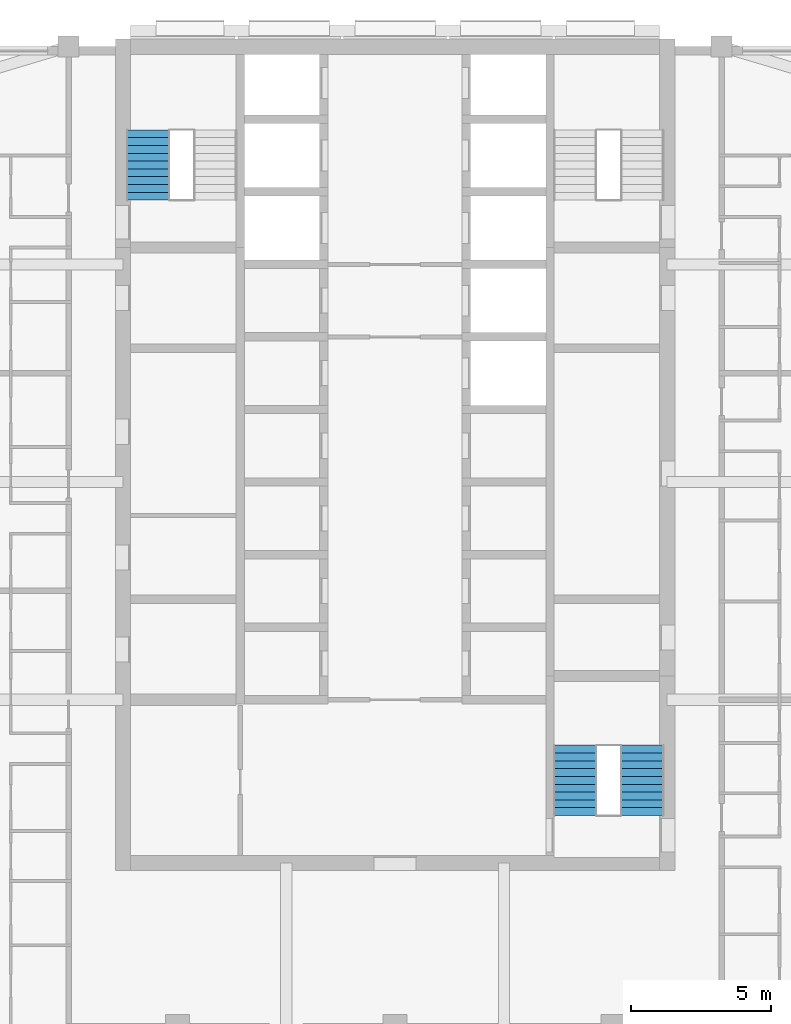
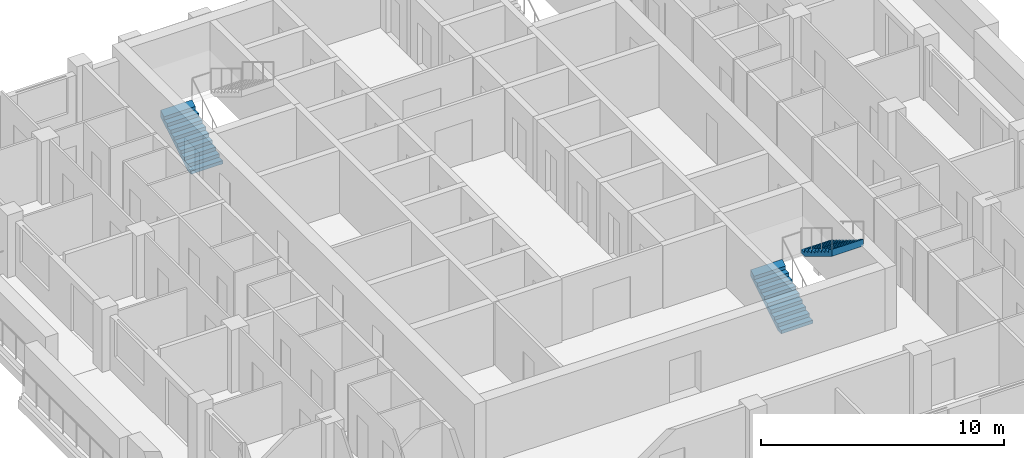
# One storey, part 10 of 13: 3 stair flights, 2 elements without a shape of their own.
"""IFC4 building model written with IfcOpenShell, lengths in metres."""

from ifc_helpers import new_model, si_unit, direction, frame, origin, place, context, subcontext, project, spatial, triangles, material, type_object, element, aggregate, save


model = new_model("IFC4")

# Units and contexts
model_context = context("Model", 3, precision=1e-05, world=origin(), true_north=direction((0.0, 1.0)))
body_context = subcontext(model_context, "Body", "Model", "MODEL_VIEW")
ifc_project = project(units=[si_unit("LENGTHUNIT", "METRE"), si_unit("AREAUNIT", "SQUARE_METRE"), si_unit("VOLUMEUNIT", "CUBIC_METRE"), si_unit("PLANEANGLEUNIT", "RADIAN"), si_unit("MASSUNIT", "GRAM", prefix="KILO")], contexts=[model_context])

# Site, building, storey
site_placement = place(None, origin())
site = spatial("IfcSite", under=ifc_project, at=site_placement, CompositionType="ELEMENT")
building_placement = place(site_placement, origin())
building = spatial("IfcBuilding", under=site, at=building_placement, Name="Ludao Terraces", CompositionType="ELEMENT")
storey_placement = place(building_placement, frame((0.0, 0.0, 179.199951171875)))
storey = spatial("IfcBuildingStorey", under=building, at=storey_placement, Name="L48", CompositionType="ELEMENT", Elevation=179.199951171875)

# Stair, stair flight
ifc_material = material(Name="Concrete C40", Category="concrete")
stair_type = type_object("IfcStairType", Name="INT Stair", PredefinedType="HALF_TURN_STAIR", material=ifc_material)
stair_1_placement = place(storey_placement, origin())
stair_1 = element("IfcStair", 1, at=stair_1_placement, inside=storey, type_object=stair_type, Name="EXIT STAIR 1", PredefinedType="HALF_TURN_STAIR")
stair_flight_type = type_object("IfcStairFlightType", Name="INT Stair flight", PredefinedType="STRAIGHT", material=ifc_material)
stair_flight_1_placement = place(storey_placement, frame((76.14990234375, 79.0, 0.0), z_axis=(0.0, 0.0, 1.0), x_axis=(0.0, 1.0, 0.0)))
stair_flight_1 = element("IfcStairFlight", 2, at=stair_flight_1_placement, type_object=stair_flight_type, Name="ST1 flight 1", NumberOfRisers=10, NumberOfTreads=9, PredefinedType="STRAIGHT", RiserHeight=0.17, TreadLength=0.28, context=body_context, shape_type="Tessellation", body=[
    triangles([(0.0, -0.75, 0.0), (0.0, -0.5, 0.0), (0.0, -0.25, 0.0), (0.0, 0.0, 0.0), (0.0, 0.25, 0.0), (0.0, 0.5, 0.0), (0.0, 0.75, 0.0), (0.0, -0.75, 0.169921875), (0.0, -0.5, 0.169921875), (0.0, -0.25, 0.169921875), (0.0, 0.0, 0.169921875), (0.0, 0.25, 0.169921875), (0.0, 0.5, 0.169921875), (0.0, 0.75, 0.169921875), (0.280029296875, -0.75, 0.169921875), (0.280029296875, -0.5, 0.169921875), (0.280029296875, -0.25, 0.169921875), (0.280029296875, 0.0, 0.169921875), (0.280029296875, 0.25, 0.169921875), (0.280029296875, 0.5, 0.169921875), (0.280029296875, 0.75, 0.169921875), (0.280029296875, -0.75, 0.340087890625), (0.280029296875, -0.5, 0.340087890625), (0.280029296875, -0.25, 0.340087890625), (0.280029296875, 0.0, 0.340087890625), (0.280029296875, 0.25, 0.340087890625), (0.280029296875, 0.5, 0.340087890625), (0.280029296875, 0.75, 0.340087890625), (0.56005859375, -0.75, 0.340087890625), (0.56005859375, -0.5, 0.340087890625), (0.56005859375, -0.25, 0.340087890625), (0.56005859375, 0.0, 0.340087890625), (0.56005859375, 0.25, 0.340087890625), (0.56005859375, 0.5, 0.340087890625), (0.56005859375, 0.75, 0.340087890625), (0.56005859375, -0.75, 0.510009765625), (0.56005859375, -0.5, 0.510009765625), (0.56005859375, -0.25, 0.510009765625), (0.56005859375, 0.0, 0.510009765625), (0.56005859375, 0.25, 0.510009765625), (0.56005859375, 0.5, 0.510009765625), (0.56005859375, 0.75, 0.510009765625), (0.840087890625, -0.75, 0.510009765625), (0.840087890625, -0.5, 0.510009765625), (0.840087890625, -0.25, 0.510009765625), (0.840087890625, 0.0, 0.510009765625), (0.840087890625, 0.25, 0.510009765625), (0.840087890625, 0.5, 0.510009765625), (0.840087890625, 0.75, 0.510009765625), (0.840087890625, -0.75, 0.679931640625), (0.840087890625, -0.5, 0.679931640625), (0.840087890625, -0.25, 0.679931640625), (0.840087890625, 0.0, 0.679931640625), (0.840087890625, 0.25, 0.679931640625), (0.840087890625, 0.5, 0.679931640625), (0.840087890625, 0.75, 0.679931640625), (1.1201171875, -0.75, 0.679931640625), (1.1201171875, -0.5, 0.679931640625), (1.1201171875, -0.25, 0.679931640625), (1.1201171875, 0.0, 0.679931640625), (1.1201171875, 0.25, 0.679931640625), (1.1201171875, 0.5, 0.679931640625), (1.1201171875, 0.75, 0.679931640625), (1.1201171875, -0.75, 0.85009765625), (1.1201171875, -0.5, 0.85009765625), (1.1201171875, -0.25, 0.85009765625), (1.1201171875, 0.0, 0.85009765625), (1.1201171875, 0.25, 0.85009765625), (1.1201171875, 0.5, 0.85009765625), (1.1201171875, 0.75, 0.85009765625), (1.39990234375, -0.75, 0.85009765625), (1.39990234375, -0.5, 0.85009765625), (1.39990234375, -0.25, 0.85009765625), (1.39990234375, 0.0, 0.85009765625), (1.39990234375, 0.25, 0.85009765625), (1.39990234375, 0.5, 0.85009765625), (1.39990234375, 0.75, 0.85009765625), (1.39990234375, -0.75, 1.02001953125), (1.39990234375, -0.5, 1.02001953125), (1.39990234375, -0.25, 1.02001953125), (1.39990234375, 0.0, 1.02001953125), (1.39990234375, 0.25, 1.02001953125), (1.39990234375, 0.5, 1.02001953125), (1.39990234375, 0.75, 1.02001953125), (1.679931640625, -0.75, 1.02001953125), (1.679931640625, -0.5, 1.02001953125), (1.679931640625, -0.25, 1.02001953125), (1.679931640625, 0.0, 1.02001953125), (1.679931640625, 0.25, 1.02001953125), (1.679931640625, 0.5, 1.02001953125), (1.679931640625, 0.75, 1.02001953125), (1.679931640625, -0.75, 1.18994140625), (1.679931640625, -0.5, 1.18994140625), (1.679931640625, -0.25, 1.18994140625), (1.679931640625, 0.0, 1.18994140625), (1.679931640625, 0.25, 1.18994140625), (1.679931640625, 0.5, 1.18994140625), (1.679931640625, 0.75, 1.18994140625), (1.9599609375, -0.75, 1.18994140625), (1.9599609375, -0.5, 1.18994140625), (1.9599609375, -0.25, 1.18994140625), (1.9599609375, 0.0, 1.18994140625), (1.9599609375, 0.25, 1.18994140625), (1.9599609375, 0.5, 1.18994140625), (1.9599609375, 0.75, 1.18994140625), (1.9599609375, -0.75, 1.360107421875), (1.9599609375, -0.5, 1.360107421875), (1.9599609375, -0.25, 1.360107421875), (1.9599609375, 0.0, 1.360107421875), (1.9599609375, 0.25, 1.360107421875), (1.9599609375, 0.5, 1.360107421875), (1.9599609375, 0.75, 1.360107421875), (2.239990234375, -0.75, 1.360107421875), (2.239990234375, -0.5, 1.360107421875), (2.239990234375, -0.25, 1.360107421875), (2.239990234375, 0.0, 1.360107421875), (2.239990234375, 0.25, 1.360107421875), (2.239990234375, 0.5, 1.360107421875), (2.239990234375, 0.75, 1.360107421875), (2.239990234375, -0.75, 1.530029296875), (2.239990234375, -0.5, 1.530029296875), (2.239990234375, -0.25, 1.530029296875), (2.239990234375, 0.0, 1.530029296875), (2.239990234375, 0.25, 1.530029296875), (2.239990234375, 0.5, 1.530029296875), (2.239990234375, 0.75, 1.530029296875), (2.52001953125, -0.75, 1.699951171875), (2.52001953125, -0.5, 1.699951171875), (2.52001953125, -0.25, 1.699951171875), (2.52001953125, 0.0, 1.699951171875), (2.52001953125, 0.25, 1.699951171875), (2.52001953125, 0.5, 1.699951171875), (2.52001953125, 0.75, 1.699951171875), (2.52001953125, -0.75, 1.354736328125), (2.52001953125, -0.5, 1.354736328125), (2.52001953125, -0.25, 1.354736328125), (2.52001953125, 0.0, 1.354736328125), (2.52001953125, 0.25, 1.354736328125), (2.52001953125, 0.5, 1.354736328125), (2.52001953125, 0.75, 1.354736328125), (0.288818359375, -0.75, 0.0), (0.288818359375, -0.5, 0.0), (0.288818359375, -0.25, 0.0), (0.288818359375, 0.0, 0.0), (0.288818359375, 0.25, 0.0), (0.288818359375, 0.5, 0.0), (0.288818359375, 0.75, 0.0)], [[1, 141, 134], [7, 140, 147], [134, 127, 120], [140, 126, 133], [134, 120, 113], [140, 119, 126], [134, 113, 106], [140, 112, 119], [134, 106, 99], [140, 105, 112], [99, 92, 85], [105, 91, 98], [134, 99, 85], [140, 91, 105], [85, 78, 71], [91, 77, 84], [134, 85, 71], [140, 77, 91], [71, 64, 57], [77, 63, 70], [134, 71, 57], [140, 63, 77], [57, 50, 43], [63, 49, 56], [134, 57, 43], [140, 49, 63], [43, 36, 29], [49, 35, 42], [134, 43, 29], [140, 35, 49], [29, 22, 15], [35, 21, 28], [134, 29, 15], [140, 21, 35], [1, 134, 15], [7, 21, 140], [15, 8, 1], [21, 7, 14], [1, 9, 2], [1, 8, 9], [2, 10, 3], [2, 9, 10], [3, 11, 4], [3, 10, 11], [4, 12, 5], [4, 11, 12], [5, 13, 6], [5, 12, 13], [6, 14, 7], [6, 13, 14], [8, 16, 9], [8, 15, 16], [9, 17, 10], [9, 16, 17], [10, 18, 11], [10, 17, 18], [11, 19, 12], [11, 18, 19], [12, 20, 13], [12, 19, 20], [13, 21, 14], [13, 20, 21], [15, 23, 16], [15, 22, 23], [16, 24, 17], [16, 23, 24], [17, 25, 18], [17, 24, 25], [18, 26, 19], [18, 25, 26], [19, 27, 20], [19, 26, 27], [20, 28, 21], [20, 27, 28], [22, 30, 23], [22, 29, 30], [23, 31, 24], [23, 30, 31], [24, 32, 25], [24, 31, 32], [25, 33, 26], [25, 32, 33], [26, 34, 27], [26, 33, 34], [27, 35, 28], [27, 34, 35], [29, 37, 30], [29, 36, 37], [30, 38, 31], [30, 37, 38], [31, 39, 32], [31, 38, 39], [32, 40, 33], [32, 39, 40], [33, 41, 34], [33, 40, 41], [34, 42, 35], [34, 41, 42], [36, 44, 37], [36, 43, 44], [37, 45, 38], [37, 44, 45], [38, 46, 39], [38, 45, 46], [39, 47, 40], [39, 46, 47], [40, 48, 41], [40, 47, 48], [41, 49, 42], [41, 48, 49], [43, 51, 44], [43, 50, 51], [44, 52, 45], [44, 51, 52], [45, 53, 46], [45, 52, 53], [46, 54, 47], [46, 53, 54], [47, 55, 48], [47, 54, 55], [48, 56, 49], [48, 55, 56], [50, 58, 51], [50, 57, 58], [51, 59, 52], [51, 58, 59], [52, 60, 53], [52, 59, 60], [53, 61, 54], [53, 60, 61], [54, 62, 55], [54, 61, 62], [55, 63, 56], [55, 62, 63], [57, 65, 58], [57, 64, 65], [58, 66, 59], [58, 65, 66], [59, 67, 60], [59, 66, 67], [60, 68, 61], [60, 67, 68], [61, 69, 62], [61, 68, 69], [62, 70, 63], [62, 69, 70], [64, 72, 65], [64, 71, 72], [65, 73, 66], [65, 72, 73], [66, 74, 67], [66, 73, 74], [67, 75, 68], [67, 74, 75], [68, 76, 69], [68, 75, 76], [69, 77, 70], [69, 76, 77], [71, 79, 72], [71, 78, 79], [72, 80, 73], [72, 79, 80], [73, 81, 74], [73, 80, 81], [74, 82, 75], [74, 81, 82], [75, 83, 76], [75, 82, 83], [76, 84, 77], [76, 83, 84], [78, 86, 79], [78, 85, 86], [79, 87, 80], [79, 86, 87], [80, 88, 81], [80, 87, 88], [81, 89, 82], [81, 88, 89], [82, 90, 83], [82, 89, 90], [83, 91, 84], [83, 90, 91], [85, 93, 86], [85, 92, 93], [86, 94, 87], [86, 93, 94], [87, 95, 88], [87, 94, 95], [88, 96, 89], [88, 95, 96], [89, 97, 90], [89, 96, 97], [90, 98, 91], [90, 97, 98], [92, 100, 93], [92, 99, 100], [93, 101, 94], [93, 100, 101], [94, 102, 95], [94, 101, 102], [95, 103, 96], [95, 102, 103], [96, 104, 97], [96, 103, 104], [97, 105, 98], [97, 104, 105], [99, 107, 100], [99, 106, 107], [100, 108, 101], [100, 107, 108], [101, 109, 102], [101, 108, 109], [102, 110, 103], [102, 109, 110], [103, 111, 104], [103, 110, 111], [104, 112, 105], [104, 111, 112], [106, 114, 107], [106, 113, 114], [107, 115, 108], [107, 114, 115], [108, 116, 109], [108, 115, 116], [109, 117, 110], [109, 116, 117], [110, 118, 111], [110, 117, 118], [111, 119, 112], [111, 118, 119], [113, 121, 114], [113, 120, 121], [114, 122, 115], [114, 121, 122], [115, 123, 116], [115, 122, 123], [116, 124, 117], [116, 123, 124], [117, 125, 118], [117, 124, 125], [118, 126, 119], [118, 125, 126], [120, 128, 121], [120, 127, 128], [121, 129, 122], [121, 128, 129], [122, 130, 123], [122, 129, 130], [123, 131, 124], [123, 130, 131], [124, 132, 125], [124, 131, 132], [125, 133, 126], [125, 132, 133], [127, 135, 128], [127, 134, 135], [128, 136, 129], [128, 135, 136], [129, 137, 130], [129, 136, 137], [130, 138, 131], [130, 137, 138], [131, 139, 132], [131, 138, 139], [132, 140, 133], [132, 139, 140], [134, 142, 135], [134, 141, 142], [135, 143, 136], [135, 142, 143], [136, 144, 137], [136, 143, 144], [137, 145, 138], [137, 144, 145], [138, 146, 139], [138, 145, 146], [139, 147, 140], [139, 146, 147], [141, 2, 142], [141, 1, 2], [142, 3, 143], [142, 2, 3], [143, 4, 144], [143, 3, 4], [144, 5, 145], [144, 4, 5], [145, 6, 146], [145, 5, 6], [146, 7, 147], [146, 6, 7]], closed=True),
])
aggregate(stair_1, [stair_flight_1])

# Stair, stair flights
stair_2_placement = place(storey_placement, origin())
stair_2 = element("IfcStair", 3, at=stair_2_placement, inside=storey, type_object=stair_type, Name="EXIT STAIR 3", PredefinedType="HALF_TURN_STAIR")
stair_flight_2_placement = place(storey_placement, frame((91.449951171875, 56.949951171875, 0.0), z_axis=(0.0, 0.0, 1.0), x_axis=(0.0, 1.0, 0.0)))
stair_flight_2 = element("IfcStairFlight", 4, at=stair_flight_2_placement, type_object=stair_flight_type, Name="ST3 flight 1", NumberOfRisers=10, NumberOfTreads=9, PredefinedType="STRAIGHT", RiserHeight=0.17, TreadLength=0.28, context=body_context, shape_type="Tessellation", body=[
    triangles([(0.0, -0.75, 0.0), (0.0, -0.5, 0.0), (0.0, -0.25, 0.0), (0.0, 0.0, 0.0), (0.0, 0.25, 0.0), (0.0, 0.5, 0.0), (0.0, 0.75, 0.0), (0.0, -0.75, 0.169921875), (0.0, -0.5, 0.169921875), (0.0, -0.25, 0.169921875), (0.0, 0.0, 0.169921875), (0.0, 0.25, 0.169921875), (0.0, 0.5, 0.169921875), (0.0, 0.75, 0.169921875), (0.280029296875, -0.75, 0.169921875), (0.280029296875, -0.5, 0.169921875), (0.280029296875, -0.25, 0.169921875), (0.280029296875, 0.0, 0.169921875), (0.280029296875, 0.25, 0.169921875), (0.280029296875, 0.5, 0.169921875), (0.280029296875, 0.75, 0.169921875), (0.280029296875, -0.75, 0.340087890625), (0.280029296875, -0.5, 0.340087890625), (0.280029296875, -0.25, 0.340087890625), (0.280029296875, 0.0, 0.340087890625), (0.280029296875, 0.25, 0.340087890625), (0.280029296875, 0.5, 0.340087890625), (0.280029296875, 0.75, 0.340087890625), (0.56005859375, -0.75, 0.340087890625), (0.56005859375, -0.5, 0.340087890625), (0.56005859375, -0.25, 0.340087890625), (0.56005859375, 0.0, 0.340087890625), (0.56005859375, 0.25, 0.340087890625), (0.56005859375, 0.5, 0.340087890625), (0.56005859375, 0.75, 0.340087890625), (0.56005859375, -0.75, 0.510009765625), (0.56005859375, -0.5, 0.510009765625), (0.56005859375, -0.25, 0.510009765625), (0.56005859375, 0.0, 0.510009765625), (0.56005859375, 0.25, 0.510009765625), (0.56005859375, 0.5, 0.510009765625), (0.56005859375, 0.75, 0.510009765625), (0.840087890625, -0.75, 0.510009765625), (0.840087890625, -0.5, 0.510009765625), (0.840087890625, -0.25, 0.510009765625), (0.840087890625, 0.0, 0.510009765625), (0.840087890625, 0.25, 0.510009765625), (0.840087890625, 0.5, 0.510009765625), (0.840087890625, 0.75, 0.510009765625), (0.840087890625, -0.75, 0.679931640625), (0.840087890625, -0.5, 0.679931640625), (0.840087890625, -0.25, 0.679931640625), (0.840087890625, 0.0, 0.679931640625), (0.840087890625, 0.25, 0.679931640625), (0.840087890625, 0.5, 0.679931640625), (0.840087890625, 0.75, 0.679931640625), (1.1201171875, -0.75, 0.679931640625), (1.1201171875, -0.5, 0.679931640625), (1.1201171875, -0.25, 0.679931640625), (1.1201171875, 0.0, 0.679931640625), (1.1201171875, 0.25, 0.679931640625), (1.1201171875, 0.5, 0.679931640625), (1.1201171875, 0.75, 0.679931640625), (1.1201171875, -0.75, 0.85009765625), (1.1201171875, -0.5, 0.85009765625), (1.1201171875, -0.25, 0.85009765625), (1.1201171875, 0.0, 0.85009765625), (1.1201171875, 0.25, 0.85009765625), (1.1201171875, 0.5, 0.85009765625), (1.1201171875, 0.75, 0.85009765625), (1.39990234375, -0.75, 0.85009765625), (1.39990234375, -0.5, 0.85009765625), (1.39990234375, -0.25, 0.85009765625), (1.39990234375, 0.0, 0.85009765625), (1.39990234375, 0.25, 0.85009765625), (1.39990234375, 0.5, 0.85009765625), (1.39990234375, 0.75, 0.85009765625), (1.39990234375, -0.75, 1.02001953125), (1.39990234375, -0.5, 1.02001953125), (1.39990234375, -0.25, 1.02001953125), (1.39990234375, 0.0, 1.02001953125), (1.39990234375, 0.25, 1.02001953125), (1.39990234375, 0.5, 1.02001953125), (1.39990234375, 0.75, 1.02001953125), (1.679931640625, -0.75, 1.02001953125), (1.679931640625, -0.5, 1.02001953125), (1.679931640625, -0.25, 1.02001953125), (1.679931640625, 0.0, 1.02001953125), (1.679931640625, 0.25, 1.02001953125), (1.679931640625, 0.5, 1.02001953125), (1.679931640625, 0.75, 1.02001953125), (1.679931640625, -0.75, 1.18994140625), (1.679931640625, -0.5, 1.18994140625), (1.679931640625, -0.25, 1.18994140625), (1.679931640625, 0.0, 1.18994140625), (1.679931640625, 0.25, 1.18994140625), (1.679931640625, 0.5, 1.18994140625), (1.679931640625, 0.75, 1.18994140625), (1.9599609375, -0.75, 1.18994140625), (1.9599609375, -0.5, 1.18994140625), (1.9599609375, -0.25, 1.18994140625), (1.9599609375, 0.0, 1.18994140625), (1.9599609375, 0.25, 1.18994140625), (1.9599609375, 0.5, 1.18994140625), (1.9599609375, 0.75, 1.18994140625), (1.9599609375, -0.75, 1.360107421875), (1.9599609375, -0.5, 1.360107421875), (1.9599609375, -0.25, 1.360107421875), (1.9599609375, 0.0, 1.360107421875), (1.9599609375, 0.25, 1.360107421875), (1.9599609375, 0.5, 1.360107421875), (1.9599609375, 0.75, 1.360107421875), (2.239990234375, -0.75, 1.360107421875), (2.239990234375, -0.5, 1.360107421875), (2.239990234375, -0.25, 1.360107421875), (2.239990234375, 0.0, 1.360107421875), (2.239990234375, 0.25, 1.360107421875), (2.239990234375, 0.5, 1.360107421875), (2.239990234375, 0.75, 1.360107421875), (2.239990234375, -0.75, 1.530029296875), (2.239990234375, -0.5, 1.530029296875), (2.239990234375, -0.25, 1.530029296875), (2.239990234375, 0.0, 1.530029296875), (2.239990234375, 0.25, 1.530029296875), (2.239990234375, 0.5, 1.530029296875), (2.239990234375, 0.75, 1.530029296875), (2.52001953125, -0.75, 1.699951171875), (2.52001953125, -0.5, 1.699951171875), (2.52001953125, -0.25, 1.699951171875), (2.52001953125, 0.0, 1.699951171875), (2.52001953125, 0.25, 1.699951171875), (2.52001953125, 0.5, 1.699951171875), (2.52001953125, 0.75, 1.699951171875), (2.52001953125, -0.75, 1.354736328125), (2.52001953125, -0.5, 1.354736328125), (2.52001953125, -0.25, 1.354736328125), (2.52001953125, 0.0, 1.354736328125), (2.52001953125, 0.25, 1.354736328125), (2.52001953125, 0.5, 1.354736328125), (2.52001953125, 0.75, 1.354736328125), (0.288818359375, -0.75, 0.0), (0.288818359375, -0.5, 0.0), (0.288818359375, -0.25, 0.0), (0.288818359375, 0.0, 0.0), (0.288818359375, 0.25, 0.0), (0.288818359375, 0.5, 0.0), (0.288818359375, 0.75, 0.0)], [[1, 141, 134], [7, 140, 147], [134, 127, 120], [140, 126, 133], [134, 120, 113], [140, 119, 126], [134, 113, 106], [140, 112, 119], [134, 106, 99], [140, 105, 112], [99, 92, 85], [105, 91, 98], [134, 99, 85], [140, 91, 105], [85, 78, 71], [91, 77, 84], [134, 85, 71], [140, 77, 91], [71, 64, 57], [77, 63, 70], [134, 71, 57], [140, 63, 77], [57, 50, 43], [63, 49, 56], [134, 57, 43], [140, 49, 63], [43, 36, 29], [49, 35, 42], [134, 43, 29], [140, 35, 49], [29, 22, 15], [35, 21, 28], [134, 29, 15], [140, 21, 35], [1, 134, 15], [7, 21, 140], [15, 8, 1], [21, 7, 14], [1, 9, 2], [1, 8, 9], [2, 10, 3], [2, 9, 10], [3, 11, 4], [3, 10, 11], [4, 12, 5], [4, 11, 12], [5, 13, 6], [5, 12, 13], [6, 14, 7], [6, 13, 14], [8, 16, 9], [8, 15, 16], [9, 17, 10], [9, 16, 17], [10, 18, 11], [10, 17, 18], [11, 19, 12], [11, 18, 19], [12, 20, 13], [12, 19, 20], [13, 21, 14], [13, 20, 21], [15, 23, 16], [15, 22, 23], [16, 24, 17], [16, 23, 24], [17, 25, 18], [17, 24, 25], [18, 26, 19], [18, 25, 26], [19, 27, 20], [19, 26, 27], [20, 28, 21], [20, 27, 28], [22, 30, 23], [22, 29, 30], [23, 31, 24], [23, 30, 31], [24, 32, 25], [24, 31, 32], [25, 33, 26], [25, 32, 33], [26, 34, 27], [26, 33, 34], [27, 35, 28], [27, 34, 35], [29, 37, 30], [29, 36, 37], [30, 38, 31], [30, 37, 38], [31, 39, 32], [31, 38, 39], [32, 40, 33], [32, 39, 40], [33, 41, 34], [33, 40, 41], [34, 42, 35], [34, 41, 42], [36, 44, 37], [36, 43, 44], [37, 45, 38], [37, 44, 45], [38, 46, 39], [38, 45, 46], [39, 47, 40], [39, 46, 47], [40, 48, 41], [40, 47, 48], [41, 49, 42], [41, 48, 49], [43, 51, 44], [43, 50, 51], [44, 52, 45], [44, 51, 52], [45, 53, 46], [45, 52, 53], [46, 54, 47], [46, 53, 54], [47, 55, 48], [47, 54, 55], [48, 56, 49], [48, 55, 56], [50, 58, 51], [50, 57, 58], [51, 59, 52], [51, 58, 59], [52, 60, 53], [52, 59, 60], [53, 61, 54], [53, 60, 61], [54, 62, 55], [54, 61, 62], [55, 63, 56], [55, 62, 63], [57, 65, 58], [57, 64, 65], [58, 66, 59], [58, 65, 66], [59, 67, 60], [59, 66, 67], [60, 68, 61], [60, 67, 68], [61, 69, 62], [61, 68, 69], [62, 70, 63], [62, 69, 70], [64, 72, 65], [64, 71, 72], [65, 73, 66], [65, 72, 73], [66, 74, 67], [66, 73, 74], [67, 75, 68], [67, 74, 75], [68, 76, 69], [68, 75, 76], [69, 77, 70], [69, 76, 77], [71, 79, 72], [71, 78, 79], [72, 80, 73], [72, 79, 80], [73, 81, 74], [73, 80, 81], [74, 82, 75], [74, 81, 82], [75, 83, 76], [75, 82, 83], [76, 84, 77], [76, 83, 84], [78, 86, 79], [78, 85, 86], [79, 87, 80], [79, 86, 87], [80, 88, 81], [80, 87, 88], [81, 89, 82], [81, 88, 89], [82, 90, 83], [82, 89, 90], [83, 91, 84], [83, 90, 91], [85, 93, 86], [85, 92, 93], [86, 94, 87], [86, 93, 94], [87, 95, 88], [87, 94, 95], [88, 96, 89], [88, 95, 96], [89, 97, 90], [89, 96, 97], [90, 98, 91], [90, 97, 98], [92, 100, 93], [92, 99, 100], [93, 101, 94], [93, 100, 101], [94, 102, 95], [94, 101, 102], [95, 103, 96], [95, 102, 103], [96, 104, 97], [96, 103, 104], [97, 105, 98], [97, 104, 105], [99, 107, 100], [99, 106, 107], [100, 108, 101], [100, 107, 108], [101, 109, 102], [101, 108, 109], [102, 110, 103], [102, 109, 110], [103, 111, 104], [103, 110, 111], [104, 112, 105], [104, 111, 112], [106, 114, 107], [106, 113, 114], [107, 115, 108], [107, 114, 115], [108, 116, 109], [108, 115, 116], [109, 117, 110], [109, 116, 117], [110, 118, 111], [110, 117, 118], [111, 119, 112], [111, 118, 119], [113, 121, 114], [113, 120, 121], [114, 122, 115], [114, 121, 122], [115, 123, 116], [115, 122, 123], [116, 124, 117], [116, 123, 124], [117, 125, 118], [117, 124, 125], [118, 126, 119], [118, 125, 126], [120, 128, 121], [120, 127, 128], [121, 129, 122], [121, 128, 129], [122, 130, 123], [122, 129, 130], [123, 131, 124], [123, 130, 131], [124, 132, 125], [124, 131, 132], [125, 133, 126], [125, 132, 133], [127, 135, 128], [127, 134, 135], [128, 136, 129], [128, 135, 136], [129, 137, 130], [129, 136, 137], [130, 138, 131], [130, 137, 138], [131, 139, 132], [131, 138, 139], [132, 140, 133], [132, 139, 140], [134, 142, 135], [134, 141, 142], [135, 143, 136], [135, 142, 143], [136, 144, 137], [136, 143, 144], [137, 145, 138], [137, 144, 145], [138, 146, 139], [138, 145, 146], [139, 147, 140], [139, 146, 147], [141, 2, 142], [141, 1, 2], [142, 3, 143], [142, 2, 3], [143, 4, 144], [143, 3, 4], [144, 5, 145], [144, 4, 5], [145, 6, 146], [145, 5, 6], [146, 7, 147], [146, 6, 7]], closed=True),
])
stair_flight_3_placement = place(storey_placement, frame((93.85009765625, 59.469970703125, 1.699951171875), z_axis=(0.0, 0.0, 1.0), x_axis=(0.0, -1.0, 0.0)))
stair_flight_3 = element("IfcStairFlight", 5, at=stair_flight_3_placement, type_object=stair_flight_type, Name="ST3 flight 2", NumberOfRisers=10, NumberOfTreads=9, PredefinedType="STRAIGHT", RiserHeight=0.17, TreadLength=0.28, context=body_context, shape_type="Tessellation", body=[
    triangles([(0.0, -0.75, 0.0), (0.0, -0.5, 0.0), (0.0, -0.25, 0.0), (0.0, 0.0, 0.0), (0.0, 0.25, 0.0), (0.0, 0.5, 0.0), (0.0, 0.75, 0.0), (0.0, -0.75, 0.169921875), (0.0, -0.5, 0.169921875), (0.0, -0.25, 0.169921875), (0.0, 0.0, 0.169921875), (0.0, 0.25, 0.169921875), (0.0, 0.5, 0.169921875), (0.0, 0.75, 0.169921875), (0.280029296875, -0.75, 0.169921875), (0.280029296875, -0.5, 0.169921875), (0.280029296875, -0.25, 0.169921875), (0.280029296875, 0.0, 0.169921875), (0.280029296875, 0.25, 0.169921875), (0.280029296875, 0.5, 0.169921875), (0.280029296875, 0.75, 0.169921875), (0.280029296875, -0.75, 0.340087890625), (0.280029296875, -0.5, 0.340087890625), (0.280029296875, -0.25, 0.340087890625), (0.280029296875, 0.0, 0.340087890625), (0.280029296875, 0.25, 0.340087890625), (0.280029296875, 0.5, 0.340087890625), (0.280029296875, 0.75, 0.340087890625), (0.56005859375, -0.75, 0.340087890625), (0.56005859375, -0.5, 0.340087890625), (0.56005859375, -0.25, 0.340087890625), (0.56005859375, 0.0, 0.340087890625), (0.56005859375, 0.25, 0.340087890625), (0.56005859375, 0.5, 0.340087890625), (0.56005859375, 0.75, 0.340087890625), (0.56005859375, -0.75, 0.510009765625), (0.56005859375, -0.5, 0.510009765625), (0.56005859375, -0.25, 0.510009765625), (0.56005859375, 0.0, 0.510009765625), (0.56005859375, 0.25, 0.510009765625), (0.56005859375, 0.5, 0.510009765625), (0.56005859375, 0.75, 0.510009765625), (0.840087890625, -0.75, 0.510009765625), (0.840087890625, -0.5, 0.510009765625), (0.840087890625, -0.25, 0.510009765625), (0.840087890625, 0.0, 0.510009765625), (0.840087890625, 0.25, 0.510009765625), (0.840087890625, 0.5, 0.510009765625), (0.840087890625, 0.75, 0.510009765625), (0.840087890625, -0.75, 0.679931640625), (0.840087890625, -0.5, 0.679931640625), (0.840087890625, -0.25, 0.679931640625), (0.840087890625, 0.0, 0.679931640625), (0.840087890625, 0.25, 0.679931640625), (0.840087890625, 0.5, 0.679931640625), (0.840087890625, 0.75, 0.679931640625), (1.1201171875, -0.75, 0.679931640625), (1.1201171875, -0.5, 0.679931640625), (1.1201171875, -0.25, 0.679931640625), (1.1201171875, 0.0, 0.679931640625), (1.1201171875, 0.25, 0.679931640625), (1.1201171875, 0.5, 0.679931640625), (1.1201171875, 0.75, 0.679931640625), (1.1201171875, -0.75, 0.85009765625), (1.1201171875, -0.5, 0.85009765625), (1.1201171875, -0.25, 0.85009765625), (1.1201171875, 0.0, 0.85009765625), (1.1201171875, 0.25, 0.85009765625), (1.1201171875, 0.5, 0.85009765625), (1.1201171875, 0.75, 0.85009765625), (1.39990234375, -0.75, 0.85009765625), (1.39990234375, -0.5, 0.85009765625), (1.39990234375, -0.25, 0.85009765625), (1.39990234375, 0.0, 0.85009765625), (1.39990234375, 0.25, 0.85009765625), (1.39990234375, 0.5, 0.85009765625), (1.39990234375, 0.75, 0.85009765625), (1.39990234375, -0.75, 1.02001953125), (1.39990234375, -0.5, 1.02001953125), (1.39990234375, -0.25, 1.02001953125), (1.39990234375, 0.0, 1.02001953125), (1.39990234375, 0.25, 1.02001953125), (1.39990234375, 0.5, 1.02001953125), (1.39990234375, 0.75, 1.02001953125), (1.679931640625, -0.75, 1.02001953125), (1.679931640625, -0.5, 1.02001953125), (1.679931640625, -0.25, 1.02001953125), (1.679931640625, 0.0, 1.02001953125), (1.679931640625, 0.25, 1.02001953125), (1.679931640625, 0.5, 1.02001953125), (1.679931640625, 0.75, 1.02001953125), (1.679931640625, -0.75, 1.18994140625), (1.679931640625, -0.5, 1.18994140625), (1.679931640625, -0.25, 1.18994140625), (1.679931640625, 0.0, 1.18994140625), (1.679931640625, 0.25, 1.18994140625), (1.679931640625, 0.5, 1.18994140625), (1.679931640625, 0.75, 1.18994140625), (1.9599609375, -0.75, 1.18994140625), (1.9599609375, -0.5, 1.18994140625), (1.9599609375, -0.25, 1.18994140625), (1.9599609375, 0.0, 1.18994140625), (1.9599609375, 0.25, 1.18994140625), (1.9599609375, 0.5, 1.18994140625), (1.9599609375, 0.75, 1.18994140625), (1.9599609375, -0.75, 1.360107421875), (1.9599609375, -0.5, 1.360107421875), (1.9599609375, -0.25, 1.360107421875), (1.9599609375, 0.0, 1.360107421875), (1.9599609375, 0.25, 1.360107421875), (1.9599609375, 0.5, 1.360107421875), (1.9599609375, 0.75, 1.360107421875), (2.239990234375, -0.75, 1.360107421875), (2.239990234375, -0.5, 1.360107421875), (2.239990234375, -0.25, 1.360107421875), (2.239990234375, 0.0, 1.360107421875), (2.239990234375, 0.25, 1.360107421875), (2.239990234375, 0.5, 1.360107421875), (2.239990234375, 0.75, 1.360107421875), (2.239990234375, -0.75, 1.530029296875), (2.239990234375, -0.5, 1.530029296875), (2.239990234375, -0.25, 1.530029296875), (2.239990234375, 0.0, 1.530029296875), (2.239990234375, 0.25, 1.530029296875), (2.239990234375, 0.5, 1.530029296875), (2.239990234375, 0.75, 1.530029296875), (2.52001953125, -0.75, 1.699951171875), (2.52001953125, -0.5, 1.699951171875), (2.52001953125, -0.25, 1.699951171875), (2.52001953125, 0.0, 1.699951171875), (2.52001953125, 0.25, 1.699951171875), (2.52001953125, 0.5, 1.699951171875), (2.52001953125, 0.75, 1.699951171875), (2.52001953125, -0.75, 1.354736328125), (2.52001953125, -0.5, 1.354736328125), (2.52001953125, -0.25, 1.354736328125), (2.52001953125, 0.0, 1.354736328125), (2.52001953125, 0.25, 1.354736328125), (2.52001953125, 0.5, 1.354736328125), (2.52001953125, 0.75, 1.354736328125), (0.288818359375, -0.75, 0.0), (0.288818359375, -0.5, 0.0), (0.288818359375, -0.25, 0.0), (0.288818359375, 0.0, 0.0), (0.288818359375, 0.25, 0.0), (0.288818359375, 0.5, 0.0), (0.288818359375, 0.75, 0.0)], [[1, 141, 134], [7, 140, 147], [134, 127, 120], [140, 126, 133], [134, 120, 113], [140, 119, 126], [134, 113, 106], [140, 112, 119], [134, 106, 99], [140, 105, 112], [99, 92, 85], [105, 91, 98], [134, 99, 85], [140, 91, 105], [85, 78, 71], [91, 77, 84], [134, 85, 71], [140, 77, 91], [71, 64, 57], [77, 63, 70], [134, 71, 57], [140, 63, 77], [57, 50, 43], [63, 49, 56], [134, 57, 43], [140, 49, 63], [43, 36, 29], [49, 35, 42], [134, 43, 29], [140, 35, 49], [29, 22, 15], [35, 21, 28], [134, 29, 15], [140, 21, 35], [1, 134, 15], [7, 21, 140], [15, 8, 1], [21, 7, 14], [1, 9, 2], [1, 8, 9], [2, 10, 3], [2, 9, 10], [3, 11, 4], [3, 10, 11], [4, 12, 5], [4, 11, 12], [5, 13, 6], [5, 12, 13], [6, 14, 7], [6, 13, 14], [8, 16, 9], [8, 15, 16], [9, 17, 10], [9, 16, 17], [10, 18, 11], [10, 17, 18], [11, 19, 12], [11, 18, 19], [12, 20, 13], [12, 19, 20], [13, 21, 14], [13, 20, 21], [15, 23, 16], [15, 22, 23], [16, 24, 17], [16, 23, 24], [17, 25, 18], [17, 24, 25], [18, 26, 19], [18, 25, 26], [19, 27, 20], [19, 26, 27], [20, 28, 21], [20, 27, 28], [22, 30, 23], [22, 29, 30], [23, 31, 24], [23, 30, 31], [24, 32, 25], [24, 31, 32], [25, 33, 26], [25, 32, 33], [26, 34, 27], [26, 33, 34], [27, 35, 28], [27, 34, 35], [29, 37, 30], [29, 36, 37], [30, 38, 31], [30, 37, 38], [31, 39, 32], [31, 38, 39], [32, 40, 33], [32, 39, 40], [33, 41, 34], [33, 40, 41], [34, 42, 35], [34, 41, 42], [36, 44, 37], [36, 43, 44], [37, 45, 38], [37, 44, 45], [38, 46, 39], [38, 45, 46], [39, 47, 40], [39, 46, 47], [40, 48, 41], [40, 47, 48], [41, 49, 42], [41, 48, 49], [43, 51, 44], [43, 50, 51], [44, 52, 45], [44, 51, 52], [45, 53, 46], [45, 52, 53], [46, 54, 47], [46, 53, 54], [47, 55, 48], [47, 54, 55], [48, 56, 49], [48, 55, 56], [50, 58, 51], [50, 57, 58], [51, 59, 52], [51, 58, 59], [52, 60, 53], [52, 59, 60], [53, 61, 54], [53, 60, 61], [54, 62, 55], [54, 61, 62], [55, 63, 56], [55, 62, 63], [57, 65, 58], [57, 64, 65], [58, 66, 59], [58, 65, 66], [59, 67, 60], [59, 66, 67], [60, 68, 61], [60, 67, 68], [61, 69, 62], [61, 68, 69], [62, 70, 63], [62, 69, 70], [64, 72, 65], [64, 71, 72], [65, 73, 66], [65, 72, 73], [66, 74, 67], [66, 73, 74], [67, 75, 68], [67, 74, 75], [68, 76, 69], [68, 75, 76], [69, 77, 70], [69, 76, 77], [71, 79, 72], [71, 78, 79], [72, 80, 73], [72, 79, 80], [73, 81, 74], [73, 80, 81], [74, 82, 75], [74, 81, 82], [75, 83, 76], [75, 82, 83], [76, 84, 77], [76, 83, 84], [78, 86, 79], [78, 85, 86], [79, 87, 80], [79, 86, 87], [80, 88, 81], [80, 87, 88], [81, 89, 82], [81, 88, 89], [82, 90, 83], [82, 89, 90], [83, 91, 84], [83, 90, 91], [85, 93, 86], [85, 92, 93], [86, 94, 87], [86, 93, 94], [87, 95, 88], [87, 94, 95], [88, 96, 89], [88, 95, 96], [89, 97, 90], [89, 96, 97], [90, 98, 91], [90, 97, 98], [92, 100, 93], [92, 99, 100], [93, 101, 94], [93, 100, 101], [94, 102, 95], [94, 101, 102], [95, 103, 96], [95, 102, 103], [96, 104, 97], [96, 103, 104], [97, 105, 98], [97, 104, 105], [99, 107, 100], [99, 106, 107], [100, 108, 101], [100, 107, 108], [101, 109, 102], [101, 108, 109], [102, 110, 103], [102, 109, 110], [103, 111, 104], [103, 110, 111], [104, 112, 105], [104, 111, 112], [106, 114, 107], [106, 113, 114], [107, 115, 108], [107, 114, 115], [108, 116, 109], [108, 115, 116], [109, 117, 110], [109, 116, 117], [110, 118, 111], [110, 117, 118], [111, 119, 112], [111, 118, 119], [113, 121, 114], [113, 120, 121], [114, 122, 115], [114, 121, 122], [115, 123, 116], [115, 122, 123], [116, 124, 117], [116, 123, 124], [117, 125, 118], [117, 124, 125], [118, 126, 119], [118, 125, 126], [120, 128, 121], [120, 127, 128], [121, 129, 122], [121, 128, 129], [122, 130, 123], [122, 129, 130], [123, 131, 124], [123, 130, 131], [124, 132, 125], [124, 131, 132], [125, 133, 126], [125, 132, 133], [127, 135, 128], [127, 134, 135], [128, 136, 129], [128, 135, 136], [129, 137, 130], [129, 136, 137], [130, 138, 131], [130, 137, 138], [131, 139, 132], [131, 138, 139], [132, 140, 133], [132, 139, 140], [134, 142, 135], [134, 141, 142], [135, 143, 136], [135, 142, 143], [136, 144, 137], [136, 143, 144], [137, 145, 138], [137, 144, 145], [138, 146, 139], [138, 145, 146], [139, 147, 140], [139, 146, 147], [141, 2, 142], [141, 1, 2], [142, 3, 143], [142, 2, 3], [143, 4, 144], [143, 3, 4], [144, 5, 145], [144, 4, 5], [145, 6, 146], [145, 5, 6], [146, 7, 147], [146, 6, 7]], closed=True),
])
aggregate(stair_2, [stair_flight_2, stair_flight_3])

save(model, "model.ifc")
